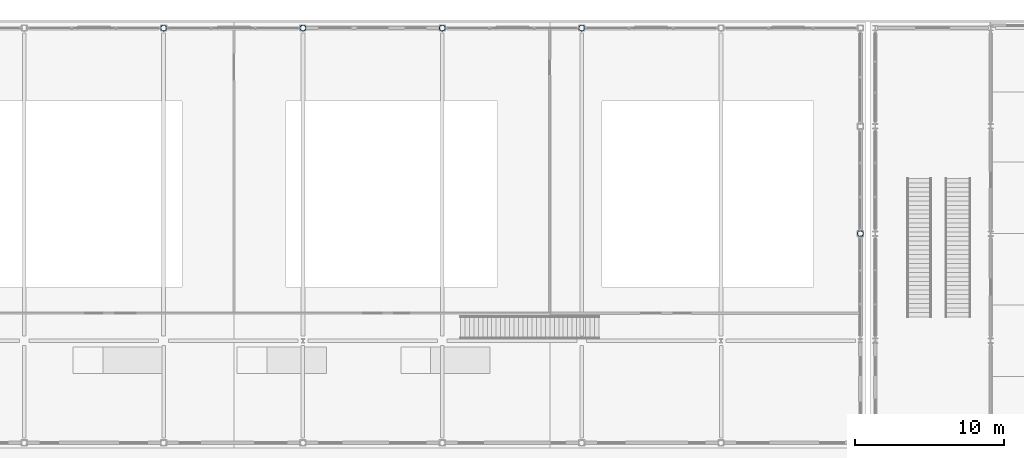
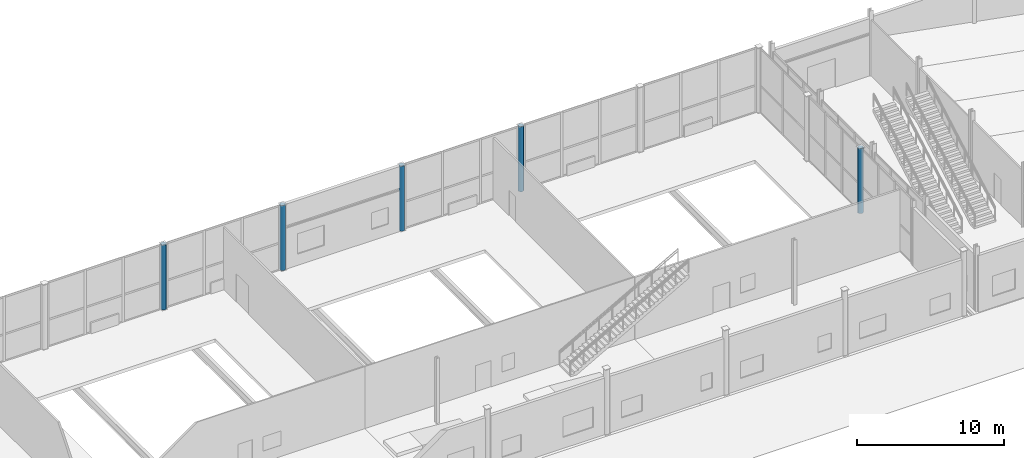
# One storey, part 9 of 83: 5 columns.
"""IFC4 building model written with IfcOpenShell, lengths in metres."""

import ifcopenshell
import ifcopenshell.guid

model = None  # the IFC model being written
_history = None  # IfcOwnerHistory: only IFC2X3 demands one
_inside = {}  # id of a spatial element -> (the spatial element, [elements in it])
_under = {}  # id of a project, library or spatial element -> (it, [spatial elements below it])
_declared = {}  # id of a project -> (the project, [libraries it declares])
_typed = {}  # id of a type object -> (the type object, [elements of that type])
_made_of = {}  # id of a material, layer set ... -> (it, [elements and type objects made of it])


def new_model(schema):
    """Start an empty IFC model of exactly this schema.

    Asked for "IFC4X3", IfcOpenShell would pick the latest addendum, in which some entities
    have other attributes; the version numbers below select the first issue.
    IFC2X3 requires an IfcOwnerHistory on every rooted entity: one is made here for all.
    """
    global model, _history
    if schema == "IFC4X3":
        model = ifcopenshell.file(schema_version=(4, 3, 0, 0))
    else:
        model = ifcopenshell.file(schema=schema)
    _inside.clear()
    _under.clear()
    _declared.clear()
    _typed.clear()
    _made_of.clear()
    _history = None
    if model.schema == "IFC2X3":
        org = make("IfcOrganization", Name="unknown")
        user = make(
            "IfcPersonAndOrganization",
            ThePerson=make("IfcPerson", FamilyName="unknown"),
            TheOrganization=org,
        )
        app = make(
            "IfcApplication",
            ApplicationDeveloper=org,
            Version="unknown",
            ApplicationFullName="unknown",
            ApplicationIdentifier="unknown",
        )
        _history = make(
            "IfcOwnerHistory",
            OwningUser=user,
            OwningApplication=app,
            ChangeAction="ADDED",
            CreationDate=0,
        )
    return model


def make(cls, **values):
    """One entity of the class cls with the attributes given. An attribute that is None is left unset."""
    return model.create_entity(
        cls, **{name: value for name, value in values.items() if value is not None}
    )


def rooted(cls, **values):
    """An entity with a GlobalId (a new one), such as an element, a storey or a relation."""
    return make(cls, GlobalId=ifcopenshell.guid.new(), OwnerHistory=_history, **values)


def si_unit(unit_type, name, prefix=None):
    """IfcSIUnit, for example si_unit("LENGTHUNIT", "METRE", prefix="MILLI")."""
    return make("IfcSIUnit", UnitType=unit_type, Prefix=prefix, Name=name)


def assignment(units):
    """IfcUnitAssignment: the units of a project."""
    return None if units is None else make("IfcUnitAssignment", Units=units)


def point(xyz):
    """IfcCartesianPoint."""
    return None if xyz is None else make("IfcCartesianPoint", Coordinates=xyz)


def direction(xyz):
    """IfcDirection."""
    return None if xyz is None else make("IfcDirection", DirectionRatios=xyz)


def frame(location, z_axis=None, x_axis=None):
    """IfcAxis2Placement3D, a coordinate frame: its origin and axes. An axis left out is left unset."""
    return make(
        "IfcAxis2Placement3D",
        Location=point(location),
        Axis=direction(z_axis),
        RefDirection=direction(x_axis),
    )


def frame_2d(location, x_axis=None):
    """IfcAxis2Placement2D, a coordinate frame in the plane: its origin and x axis."""
    return make(
        "IfcAxis2Placement2D", Location=point(location), RefDirection=direction(x_axis)
    )


def origin():
    """The frame at (0, 0, 0) with its axes left unset."""
    return frame((0.0, 0.0, 0.0))


def origin_2d():
    """The frame at (0, 0) in the plane with its x axis left unset."""
    return frame_2d((0.0, 0.0))


def place(relative_to, where):
    """IfcLocalPlacement: puts the frame where relative to a parent placement (None: the world)."""
    return make(
        "IfcLocalPlacement", PlacementRelTo=relative_to, RelativePlacement=where
    )


def context(
    kind, dimensions, precision=None, world=None, true_north=None, identifier=None
):
    """IfcGeometricRepresentationContext, for example the 3D "Model" context."""
    return make(
        "IfcGeometricRepresentationContext",
        ContextIdentifier=identifier,
        ContextType=kind,
        CoordinateSpaceDimension=dimensions,
        Precision=precision,
        WorldCoordinateSystem=world,
        TrueNorth=true_north,
    )


def subcontext(parent, identifier, kind, view, scale=None):
    """IfcGeometricRepresentationSubContext, for example "Body" below "Model"."""
    return make(
        "IfcGeometricRepresentationSubContext",
        ContextIdentifier=identifier,
        ContextType=kind,
        ParentContext=parent,
        TargetScale=scale,
        TargetView=view,
    )


def project(units=None, contexts=None):
    """IfcProject with its units and contexts."""
    return rooted(
        "IfcProject",
        Name="project",
        RepresentationContexts=contexts,
        UnitsInContext=assignment(units),
    )


def spatial(cls, under=None, at=None, **own):
    """A site, building, storey or space (cls), placed at a placement, below another one or the project."""
    s = rooted(cls, ObjectPlacement=at, **own)
    if under is not None:
        _under.setdefault(under.id(), (under, []))[1].append(s)
    return s


def profile(cls, at=None, kind="AREA", **sizes):
    """A parametric profile (cls). Its sizes go by their IFC names, for example OverallWidth=200.0."""
    return make(cls, ProfileType=kind, Position=at, **sizes)


def hollow_circle(**sizes):
    """IfcCircleHollowProfileDef."""
    return profile("IfcCircleHollowProfileDef", **sizes)


def extrude(swept, where, along, depth):
    """IfcExtrudedAreaSolid: the profile swept, set in the frame where, extruded along a direction by depth."""
    return make(
        "IfcExtrudedAreaSolid",
        SweptArea=swept,
        Position=where,
        ExtrudedDirection=direction(along),
        Depth=depth,
    )


def shape(context_of_items, identifier, shape_type, items):
    """IfcShapeRepresentation: the items that make up one representation, for example the "Body"."""
    return make(
        "IfcShapeRepresentation",
        ContextOfItems=context_of_items,
        RepresentationIdentifier=identifier,
        RepresentationType=shape_type,
        Items=items,
    )


def material(Name=None, Category=None):
    """IfcMaterial."""
    return make("IfcMaterial", Name=Name, Category=Category)


def material_profile(
    of_material, cross_section, Name=None, Category=None, Priority=None
):
    """IfcMaterialProfile: a cross section and its material."""
    return make(
        "IfcMaterialProfile",
        Name=Name,
        Material=of_material,
        Profile=cross_section,
        Priority=Priority,
        Category=Category,
    )


def profile_set(profiles, Name=None, composite=None):
    """IfcMaterialProfileSet."""
    return make(
        "IfcMaterialProfileSet",
        Name=Name,
        MaterialProfiles=profiles,
        CompositeProfile=composite,
    )


def made_of(thing, what):
    """Note that an element or type object is made of a material, layer set ...; save() writes the relation."""
    if what is not None:
        _made_of.setdefault(what.id(), (what, []))[1].append(thing)
    return thing


def type_object(cls, material=None, **own):
    """A type object (cls), such as IfcWallType, which elements share."""
    return made_of(rooted(cls, **own), material)


def element(
    cls,
    number,
    at=None,
    inside=None,
    cuts=None,
    type_object=None,
    material=None,
    context=None,
    identifier="Body",
    shape_type=None,
    held_by="IfcProductDefinitionShape",
    body=None,
    shapes=None,
    **own,
):
    """One element of the class cls, such as IfcWall. Its Tag is "e" and its number.

    at: its placement. inside: the storey or other place that contains it. cuts: it is an
    opening in that element (IfcRelVoidsElement). A single representation is given by context,
    identifier, shape_type and body (its items); several are given by shapes. held_by: the class
    of the entity that holds the representations. save() writes the other relations.
    """
    e = rooted(cls, Tag="e%d" % number, ObjectPlacement=at, **own)
    if body is not None:
        shapes = [shape(context, identifier, shape_type, body)]
    if shapes is not None:
        e.Representation = make(held_by, Representations=shapes)
    if inside is not None:
        _inside.setdefault(inside.id(), (inside, []))[1].append(e)
    if cuts is not None:
        rooted(
            "IfcRelVoidsElement", RelatingBuildingElement=cuts, RelatedOpeningElement=e
        )
    if type_object is not None:
        _typed.setdefault(type_object.id(), (type_object, []))[1].append(e)
    return made_of(e, material)


def aggregate(whole, parts):
    """IfcRelAggregates: a whole, such as a stair, and the parts it consists of."""
    return rooted("IfcRelAggregates", RelatingObject=whole, RelatedObjects=parts)


def save(model, path):
    """Write the relations noted so far, then the file.

    IfcRelAggregates (storeys below a building ...), IfcRelContainedInSpatialStructure (elements
    in a storey), IfcRelDefinesByType, IfcRelAssociatesMaterial and IfcRelDeclares: one each for
    every whole, place, type object, material and project.
    """
    for whole, parts in _under.values():
        aggregate(whole, parts)
    for where, things in _inside.values():
        rooted(
            "IfcRelContainedInSpatialStructure",
            RelatedElements=things,
            RelatingStructure=where,
        )
    for kind, things in _typed.values():
        rooted("IfcRelDefinesByType", RelatedObjects=things, RelatingType=kind)
    for what, things in _made_of.values():
        rooted("IfcRelAssociatesMaterial", RelatedObjects=things, RelatingMaterial=what)
    for by, libraries in _declared.values():
        rooted("IfcRelDeclares", RelatingContext=by, RelatedDefinitions=libraries)
    model.write(path)


model = new_model("IFC4")

# Units and contexts
model_context = context("Model", 3, precision=1e-05, world=origin(), true_north=direction((0.0, 1.0)))
body_context = subcontext(model_context, "Body", "Model", "MODEL_VIEW")
ifc_project = project(units=[si_unit("LENGTHUNIT", "METRE"), si_unit("AREAUNIT", "SQUARE_METRE"), si_unit("VOLUMEUNIT", "CUBIC_METRE"), si_unit("PLANEANGLEUNIT", "RADIAN"), si_unit("MASSUNIT", "GRAM", prefix="KILO")], contexts=[model_context])

# Site, building, storey
site_placement = place(None, origin())
site = spatial("IfcSite", under=ifc_project, at=site_placement, CompositionType="ELEMENT")
building_placement = place(site_placement, origin())
building = spatial("IfcBuilding", under=site, at=building_placement, Name="Quillay Park Conservatory", CompositionType="ELEMENT")
storey_placement = place(building_placement, origin())
storey = spatial("IfcBuildingStorey", under=building, at=storey_placement, Name="L00", CompositionType="ELEMENT", Elevation=0.0)

# Columns
ifc_material = material(Name="Steel S355J2H", Category="steel")
ifc_material_profile = material_profile(ifc_material, hollow_circle(Radius=0.203125, WallThickness=0.01611328125, at=origin_2d()), Name="CHS406.4x16")
ifc_profile_set = profile_set([ifc_material_profile], Name="Steel S355J2H")
column_type = type_object("IfcColumnType", Name="COMPOSITE STEEL COLUMN CHS406", PredefinedType="COLUMN", material=ifc_profile_set)
for number, where, z_axis, x_axis, name in (
    (1, (68.072265625, 113.39990234375, 0.0), (0.0, 0.0, 1.0), (1.0, 0.0, 0.0), "L00 column COL-V1-L00-4-1"),
    (2, (77.427734375, 113.39990234375, 0.0), (0.0, 0.0, 1.0), (1.0, 0.0, 0.0), "L00 column COL-V1-L00-5-1"),
    (3, (86.783203125, 113.39990234375, 0.0), (0.0, 0.0, 1.0), (1.0, 0.0, 0.0), "L00 column COL-V1-L00-6-1"),
    (4, (96.138916015625, 113.39990234375, 0.0), (0.0, 0.0, 1.0), (1.0, 0.0, 0.0), "L00 column COL-V1-L00-7-1"),
    (5, (114.85009765625, 99.60009765625, 0.0), (0.0, 0.0, 1.0), (1.0, 0.0, 0.0), "L00 column COL-V1E-L00-E-0"),
):
    element("IfcColumn", number, at=place(storey_placement, frame(where, z_axis=z_axis, x_axis=x_axis)), inside=storey, type_object=column_type, Name=name, PredefinedType="COLUMN", context=body_context, shape_type="SweptSolid", body=[
        extrude(hollow_circle(Radius=0.203125, WallThickness=0.01611328125, at=origin_2d()), origin(), (0.0, 0.0, 1.0), 5.39990234375),
    ])

save(model, "model.ifc")
